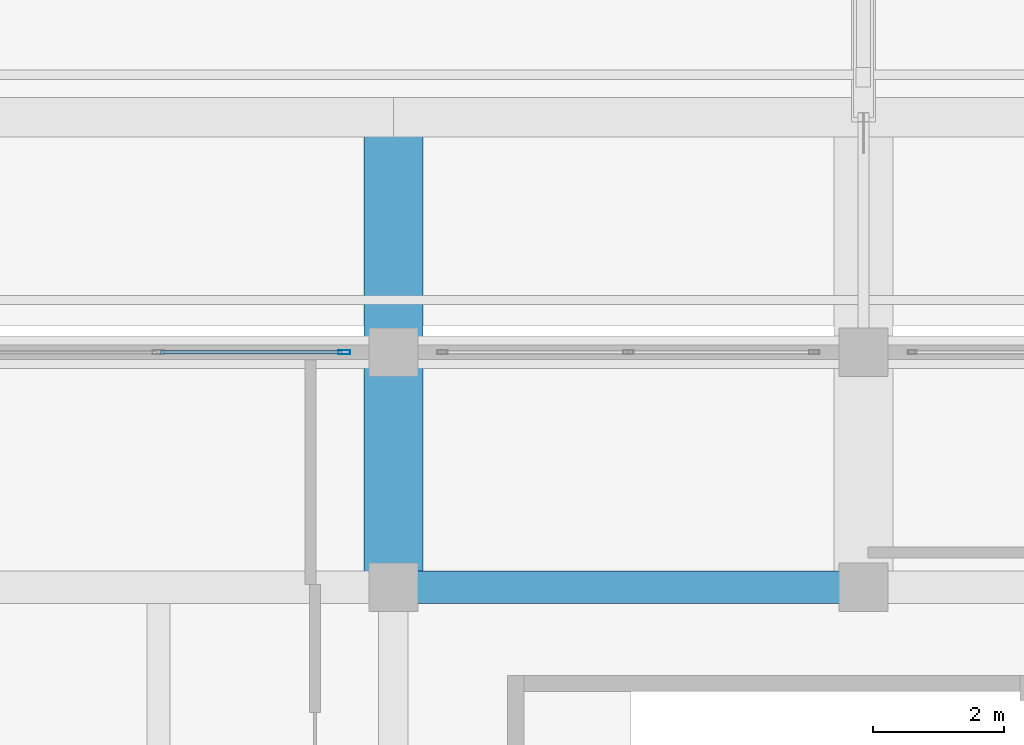
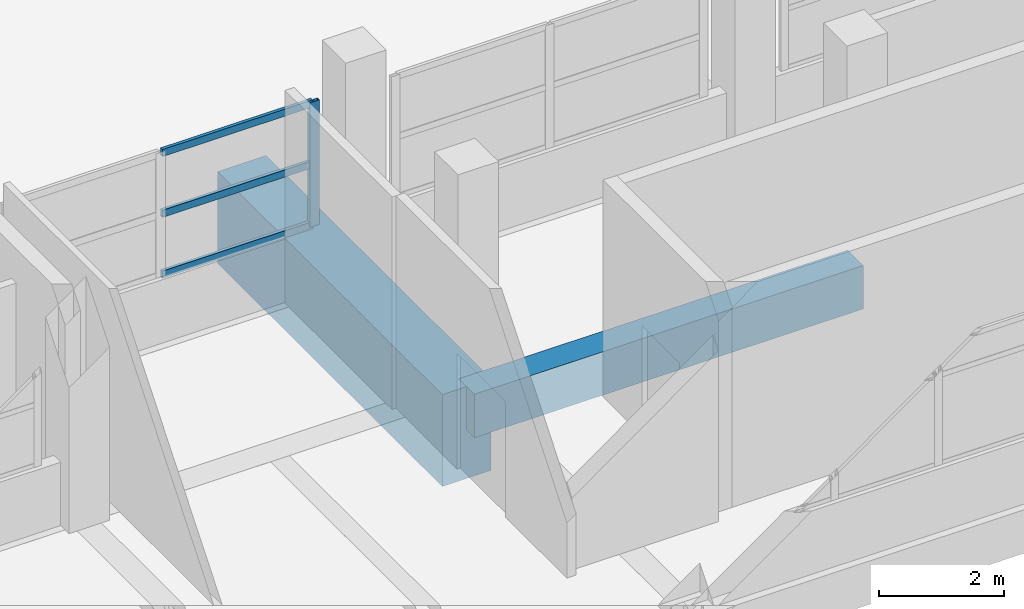
# One storey, part 73 of 141: 4 members, 2 beams, 1 element without a shape of its own.
"""IFC4 building model written with IfcOpenShell, lengths in metres."""

import ifcopenshell
import ifcopenshell.guid

model = None  # the IFC model being written
_history = None  # IfcOwnerHistory: only IFC2X3 demands one
_inside = {}  # id of a spatial element -> (the spatial element, [elements in it])
_under = {}  # id of a project, library or spatial element -> (it, [spatial elements below it])
_declared = {}  # id of a project -> (the project, [libraries it declares])
_typed = {}  # id of a type object -> (the type object, [elements of that type])
_made_of = {}  # id of a material, layer set ... -> (it, [elements and type objects made of it])


def new_model(schema):
    """Start an empty IFC model of exactly this schema.

    Asked for "IFC4X3", IfcOpenShell would pick the latest addendum, in which some entities
    have other attributes; the version numbers below select the first issue.
    IFC2X3 requires an IfcOwnerHistory on every rooted entity: one is made here for all.
    """
    global model, _history
    if schema == "IFC4X3":
        model = ifcopenshell.file(schema_version=(4, 3, 0, 0))
    else:
        model = ifcopenshell.file(schema=schema)
    _inside.clear()
    _under.clear()
    _declared.clear()
    _typed.clear()
    _made_of.clear()
    _history = None
    if model.schema == "IFC2X3":
        org = make("IfcOrganization", Name="unknown")
        user = make(
            "IfcPersonAndOrganization",
            ThePerson=make("IfcPerson", FamilyName="unknown"),
            TheOrganization=org,
        )
        app = make(
            "IfcApplication",
            ApplicationDeveloper=org,
            Version="unknown",
            ApplicationFullName="unknown",
            ApplicationIdentifier="unknown",
        )
        _history = make(
            "IfcOwnerHistory",
            OwningUser=user,
            OwningApplication=app,
            ChangeAction="ADDED",
            CreationDate=0,
        )
    return model


def make(cls, **values):
    """One entity of the class cls with the attributes given. An attribute that is None is left unset."""
    return model.create_entity(
        cls, **{name: value for name, value in values.items() if value is not None}
    )


def rooted(cls, **values):
    """An entity with a GlobalId (a new one), such as an element, a storey or a relation."""
    return make(cls, GlobalId=ifcopenshell.guid.new(), OwnerHistory=_history, **values)


def si_unit(unit_type, name, prefix=None):
    """IfcSIUnit, for example si_unit("LENGTHUNIT", "METRE", prefix="MILLI")."""
    return make("IfcSIUnit", UnitType=unit_type, Prefix=prefix, Name=name)


def assignment(units):
    """IfcUnitAssignment: the units of a project."""
    return None if units is None else make("IfcUnitAssignment", Units=units)


def point(xyz):
    """IfcCartesianPoint."""
    return None if xyz is None else make("IfcCartesianPoint", Coordinates=xyz)


def direction(xyz):
    """IfcDirection."""
    return None if xyz is None else make("IfcDirection", DirectionRatios=xyz)


def frame(location, z_axis=None, x_axis=None):
    """IfcAxis2Placement3D, a coordinate frame: its origin and axes. An axis left out is left unset."""
    return make(
        "IfcAxis2Placement3D",
        Location=point(location),
        Axis=direction(z_axis),
        RefDirection=direction(x_axis),
    )


def frame_2d(location, x_axis=None):
    """IfcAxis2Placement2D, a coordinate frame in the plane: its origin and x axis."""
    return make(
        "IfcAxis2Placement2D", Location=point(location), RefDirection=direction(x_axis)
    )


def origin():
    """The frame at (0, 0, 0) with its axes left unset."""
    return frame((0.0, 0.0, 0.0))


def origin_2d():
    """The frame at (0, 0) in the plane with its x axis left unset."""
    return frame_2d((0.0, 0.0))


def place(relative_to, where):
    """IfcLocalPlacement: puts the frame where relative to a parent placement (None: the world)."""
    return make(
        "IfcLocalPlacement", PlacementRelTo=relative_to, RelativePlacement=where
    )


def context(
    kind, dimensions, precision=None, world=None, true_north=None, identifier=None
):
    """IfcGeometricRepresentationContext, for example the 3D "Model" context."""
    return make(
        "IfcGeometricRepresentationContext",
        ContextIdentifier=identifier,
        ContextType=kind,
        CoordinateSpaceDimension=dimensions,
        Precision=precision,
        WorldCoordinateSystem=world,
        TrueNorth=true_north,
    )


def subcontext(parent, identifier, kind, view, scale=None):
    """IfcGeometricRepresentationSubContext, for example "Body" below "Model"."""
    return make(
        "IfcGeometricRepresentationSubContext",
        ContextIdentifier=identifier,
        ContextType=kind,
        ParentContext=parent,
        TargetScale=scale,
        TargetView=view,
    )


def project(units=None, contexts=None):
    """IfcProject with its units and contexts."""
    return rooted(
        "IfcProject",
        Name="project",
        RepresentationContexts=contexts,
        UnitsInContext=assignment(units),
    )


def spatial(cls, under=None, at=None, **own):
    """A site, building, storey or space (cls), placed at a placement, below another one or the project."""
    s = rooted(cls, ObjectPlacement=at, **own)
    if under is not None:
        _under.setdefault(under.id(), (under, []))[1].append(s)
    return s


def profile(cls, at=None, kind="AREA", **sizes):
    """A parametric profile (cls). Its sizes go by their IFC names, for example OverallWidth=200.0."""
    return make(cls, ProfileType=kind, Position=at, **sizes)


def rectangle(**sizes):
    """IfcRectangleProfileDef."""
    return profile("IfcRectangleProfileDef", **sizes)


def hollow_rectangle(**sizes):
    """IfcRectangleHollowProfileDef."""
    return profile("IfcRectangleHollowProfileDef", **sizes)


def extrude(swept, where, along, depth):
    """IfcExtrudedAreaSolid: the profile swept, set in the frame where, extruded along a direction by depth."""
    return make(
        "IfcExtrudedAreaSolid",
        SweptArea=swept,
        Position=where,
        ExtrudedDirection=direction(along),
        Depth=depth,
    )


def shape(context_of_items, identifier, shape_type, items):
    """IfcShapeRepresentation: the items that make up one representation, for example the "Body"."""
    return make(
        "IfcShapeRepresentation",
        ContextOfItems=context_of_items,
        RepresentationIdentifier=identifier,
        RepresentationType=shape_type,
        Items=items,
    )


def material(Name=None, Category=None):
    """IfcMaterial."""
    return make("IfcMaterial", Name=Name, Category=Category)


def layer(
    of_material, thickness, ventilated=None, Name=None, Category=None, Priority=None
):
    """IfcMaterialLayer: one layer of a wall or slab, of a material (None: an air gap)."""
    return make(
        "IfcMaterialLayer",
        Material=of_material,
        LayerThickness=thickness,
        IsVentilated=ventilated,
        Name=Name,
        Category=Category,
        Priority=Priority,
    )


def layer_set(layers, Name=None):
    """IfcMaterialLayerSet."""
    return make("IfcMaterialLayerSet", MaterialLayers=layers, LayerSetName=Name)


def material_profile(
    of_material, cross_section, Name=None, Category=None, Priority=None
):
    """IfcMaterialProfile: a cross section and its material."""
    return make(
        "IfcMaterialProfile",
        Name=Name,
        Material=of_material,
        Profile=cross_section,
        Priority=Priority,
        Category=Category,
    )


def profile_set(profiles, Name=None, composite=None):
    """IfcMaterialProfileSet."""
    return make(
        "IfcMaterialProfileSet",
        Name=Name,
        MaterialProfiles=profiles,
        CompositeProfile=composite,
    )


def made_of(thing, what):
    """Note that an element or type object is made of a material, layer set ...; save() writes the relation."""
    if what is not None:
        _made_of.setdefault(what.id(), (what, []))[1].append(thing)
    return thing


def type_object(cls, material=None, **own):
    """A type object (cls), such as IfcWallType, which elements share."""
    return made_of(rooted(cls, **own), material)


def element(
    cls,
    number,
    at=None,
    inside=None,
    cuts=None,
    type_object=None,
    material=None,
    context=None,
    identifier="Body",
    shape_type=None,
    held_by="IfcProductDefinitionShape",
    body=None,
    shapes=None,
    **own,
):
    """One element of the class cls, such as IfcWall. Its Tag is "e" and its number.

    at: its placement. inside: the storey or other place that contains it. cuts: it is an
    opening in that element (IfcRelVoidsElement). A single representation is given by context,
    identifier, shape_type and body (its items); several are given by shapes. held_by: the class
    of the entity that holds the representations. save() writes the other relations.
    """
    e = rooted(cls, Tag="e%d" % number, ObjectPlacement=at, **own)
    if body is not None:
        shapes = [shape(context, identifier, shape_type, body)]
    if shapes is not None:
        e.Representation = make(held_by, Representations=shapes)
    if inside is not None:
        _inside.setdefault(inside.id(), (inside, []))[1].append(e)
    if cuts is not None:
        rooted(
            "IfcRelVoidsElement", RelatingBuildingElement=cuts, RelatedOpeningElement=e
        )
    if type_object is not None:
        _typed.setdefault(type_object.id(), (type_object, []))[1].append(e)
    return made_of(e, material)


def aggregate(whole, parts):
    """IfcRelAggregates: a whole, such as a stair, and the parts it consists of."""
    return rooted("IfcRelAggregates", RelatingObject=whole, RelatedObjects=parts)


def save(model, path):
    """Write the relations noted so far, then the file.

    IfcRelAggregates (storeys below a building ...), IfcRelContainedInSpatialStructure (elements
    in a storey), IfcRelDefinesByType, IfcRelAssociatesMaterial and IfcRelDeclares: one each for
    every whole, place, type object, material and project.
    """
    for whole, parts in _under.values():
        aggregate(whole, parts)
    for where, things in _inside.values():
        rooted(
            "IfcRelContainedInSpatialStructure",
            RelatedElements=things,
            RelatingStructure=where,
        )
    for kind, things in _typed.values():
        rooted("IfcRelDefinesByType", RelatedObjects=things, RelatingType=kind)
    for what, things in _made_of.values():
        rooted("IfcRelAssociatesMaterial", RelatedObjects=things, RelatingMaterial=what)
    for by, libraries in _declared.values():
        rooted("IfcRelDeclares", RelatingContext=by, RelatedDefinitions=libraries)
    model.write(path)


model = new_model("IFC4")

# Units and contexts
model_context = context("Model", 3, precision=1e-05, world=origin(), true_north=direction((0.0, 1.0)))
body_context = subcontext(model_context, "Body", "Model", "MODEL_VIEW")
ifc_project = project(units=[si_unit("LENGTHUNIT", "METRE"), si_unit("AREAUNIT", "SQUARE_METRE"), si_unit("VOLUMEUNIT", "CUBIC_METRE"), si_unit("PLANEANGLEUNIT", "RADIAN"), si_unit("MASSUNIT", "GRAM", prefix="KILO")], contexts=[model_context])

# Site, building, storey
site_placement = place(None, origin())
site = spatial("IfcSite", under=ifc_project, at=site_placement, CompositionType="ELEMENT")
building_placement = place(site_placement, origin())
building = spatial("IfcBuilding", under=site, at=building_placement, Name="Seraya Terrace Polytechnic", CompositionType="ELEMENT")
storey_placement = place(building_placement, frame((0.0, 0.0, 14.39990234375)))
storey = spatial("IfcBuildingStorey", under=building, at=storey_placement, Name="L03", CompositionType="ELEMENT", Elevation=14.39990234375)

# Beam
ifc_material_1 = material(Name="Concrete C40/50", Category="concrete")
ifc_material_profile_1 = material_profile(ifc_material_1, rectangle(XDim=0.5, YDim=0.85009765625, at=origin_2d()), Name="RC 500x850")
ifc_profile_set_1 = profile_set([ifc_material_profile_1], Name="Concrete C40/50")
beam_type_1 = type_object("IfcBeamType", Name="BM-05", PredefinedType="BEAM", material=ifc_profile_set_1)
beam_1_placement = place(storey_placement, frame((50.39990234375, 72.0, -0.4248046875), z_axis=(1.0, 0.0, 0.0), x_axis=(0.0, 1.0, 0.0)))
element("IfcBeam", 1, at=beam_1_placement, inside=storey, type_object=beam_type_1, Name="Beam BM-05 L03 X (50.4..57.6, 72.0)", PredefinedType="BEAM", context=body_context, shape_type="SweptSolid", body=[
    extrude(rectangle(XDim=0.5, YDim=0.85009765625, at=origin_2d()), origin(), (0.0, 0.0, 1.0), 7.2001953125),
])

# Curtain wall, members
ifc_material_2 = material(Name="Anodised aluminium EN AW-6063 T6", Category="aluminium")
ifc_layer = layer(ifc_material_2, 0.179931640625, Name="CW-10")
ifc_layer_set = layer_set([ifc_layer], Name="Anodised aluminium EN AW-6063 T6")
curtain_wall_type = type_object("IfcCurtainWallType", Name="CW-10", PredefinedType="NOTDEFINED", material=ifc_layer_set)
curtain_wall_placement = place(storey_placement, origin())
curtain_wall = element("IfcCurtainWall", 2, at=curtain_wall_placement, inside=storey, type_object=curtain_wall_type, Name="Unitised curtain wall CW-10 (CW-L03-118)", PredefinedType="NOTDEFINED")
ifc_material_profile_2 = material_profile(ifc_material_2, hollow_rectangle(XDim=0.06494140625, YDim=0.179931640625, WallThickness=0.00390625, at=origin_2d()), Name="RHS 180x65x4.0")
ifc_profile_set_2 = profile_set([ifc_material_profile_2], Name="Anodised aluminium EN AW-6063 T6")
member_type_1 = type_object("IfcMemberType", Name="CWM-01", PredefinedType="MULLION", material=ifc_profile_set_2)
member_1_placement = place(storey_placement, frame((49.6474609375, 75.60009765625, 1.239990234375), z_axis=(0.0, 0.0, 1.0), x_axis=(0.0, 1.0, 0.0)))
member_1 = element("IfcMember", 3, at=member_1_placement, type_object=member_type_1, Name="CW-10 mullion 3", PredefinedType="MULLION", context=body_context, shape_type="SweptSolid", body=[
    extrude(hollow_rectangle(XDim=0.06494140625, YDim=0.179931640625, WallThickness=0.00390625, at=origin_2d()), origin(), (0.0, 0.0, 1.0), 2.440185546875),
])
ifc_material_profile_3 = material_profile(ifc_material_2, hollow_rectangle(XDim=0.06005859375, YDim=0.139892578125, WallThickness=0.00341796875, at=origin_2d()), Name="RHS 140x60x3.5")
ifc_profile_set_3 = profile_set([ifc_material_profile_3], Name="Anodised aluminium EN AW-6063 T6")
member_type_2 = type_object("IfcMemberType", Name="CWT-01", PredefinedType="USERDEFINED", material=ifc_profile_set_3)
member_2_placement = place(storey_placement, frame((46.83251953125, 75.60009765625, 1.27001953125), z_axis=(1.0, 0.0, 0.0), x_axis=(0.0, 1.0, 0.0)))
member_2 = element("IfcMember", 4, at=member_2_placement, type_object=member_type_2, Name="CW-10 transom 2.1", ObjectType="TRANSOM", PredefinedType="USERDEFINED", context=body_context, shape_type="SweptSolid", body=[
    extrude(hollow_rectangle(XDim=0.06005859375, YDim=0.139892578125, WallThickness=0.00341796875, at=origin_2d()), origin(), (0.0, 0.0, 1.0), 2.782470703125),
])
member_3_placement = place(storey_placement, frame((46.83251953125, 75.60009765625, 2.460205078125), z_axis=(1.0, 0.0, 0.0), x_axis=(0.0, 1.0, 0.0)))
member_3 = element("IfcMember", 5, at=member_3_placement, type_object=member_type_2, Name="CW-10 transom 2.2", ObjectType="TRANSOM", PredefinedType="USERDEFINED", context=body_context, shape_type="SweptSolid", body=[
    extrude(hollow_rectangle(XDim=0.06005859375, YDim=0.139892578125, WallThickness=0.00341796875, at=origin_2d()), origin(), (0.0, 0.0, 1.0), 2.782470703125),
])
member_4_placement = place(storey_placement, frame((46.83251953125, 75.60009765625, 3.650146484375), z_axis=(1.0, 0.0, 0.0), x_axis=(0.0, 1.0, 0.0)))
member_4 = element("IfcMember", 6, at=member_4_placement, type_object=member_type_2, Name="CW-10 transom 2.3", ObjectType="TRANSOM", PredefinedType="USERDEFINED", context=body_context, shape_type="SweptSolid", body=[
    extrude(hollow_rectangle(XDim=0.06005859375, YDim=0.139892578125, WallThickness=0.00341796875, at=origin_2d()), origin(), (0.0, 0.0, 1.0), 2.782470703125),
])
aggregate(curtain_wall, [member_1, member_2, member_3, member_4])

# Beam
ifc_material_profile_4 = material_profile(ifc_material_1, rectangle(XDim=0.89990234375, YDim=1.800048828125, at=origin_2d()), Name="RC 900x1800")
ifc_profile_set_4 = profile_set([ifc_material_profile_4], Name="Concrete C40/50")
beam_type_2 = type_object("IfcBeamType", Name="TG-01", PredefinedType="USERDEFINED", material=ifc_profile_set_4)
beam_2_placement = place(storey_placement, frame((50.39990234375, 72.0, -0.89990234375), z_axis=(0.0, 1.0, 0.0), x_axis=(-1.0, 0.0, 0.0)))
element("IfcBeam", 7, at=beam_2_placement, inside=storey, type_object=beam_type_2, Name="Transfer girder TG-01 L03 #13", ObjectType="GIRDER", PredefinedType="USERDEFINED", context=body_context, shape_type="SweptSolid", body=[
    extrude(rectangle(XDim=0.89990234375, YDim=1.800048828125, at=origin_2d()), origin(), (0.0, 0.0, 1.0), 7.199951171875),
])

save(model, "model.ifc")
